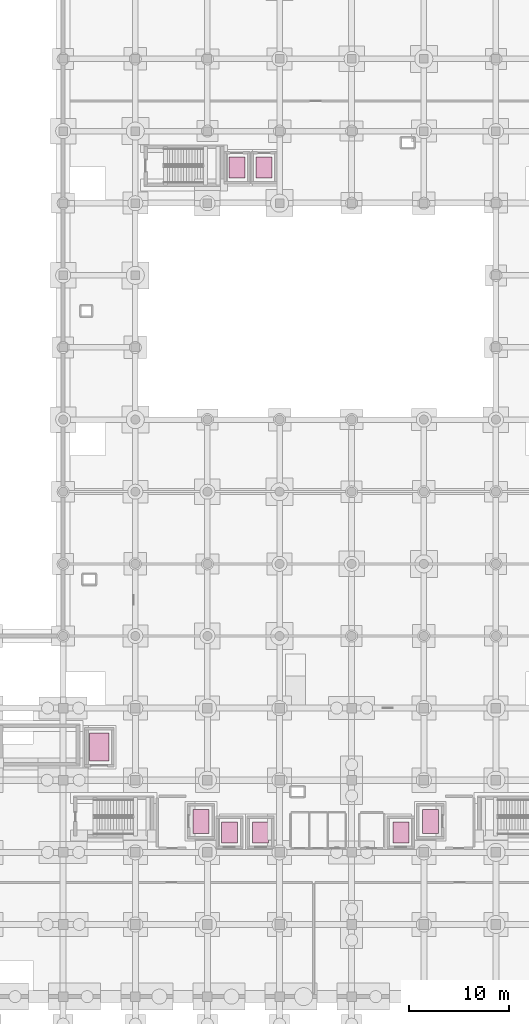
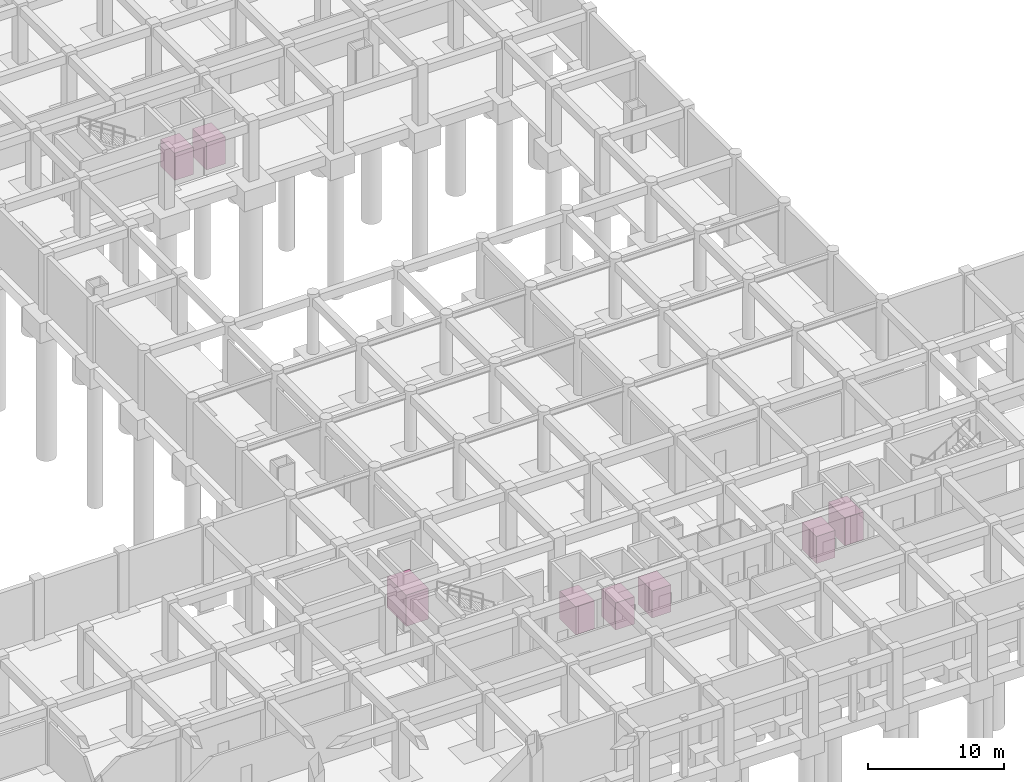
# One storey, part 26 of 26: 8 transport elements.
"""IFC4 building model written with IfcOpenShell, lengths in metres."""

import ifcopenshell
import ifcopenshell.guid

model = None  # the IFC model being written
_history = None  # IfcOwnerHistory: only IFC2X3 demands one
_inside = {}  # id of a spatial element -> (the spatial element, [elements in it])
_under = {}  # id of a project, library or spatial element -> (it, [spatial elements below it])
_declared = {}  # id of a project -> (the project, [libraries it declares])
_typed = {}  # id of a type object -> (the type object, [elements of that type])
_made_of = {}  # id of a material, layer set ... -> (it, [elements and type objects made of it])


def new_model(schema):
    """Start an empty IFC model of exactly this schema.

    Asked for "IFC4X3", IfcOpenShell would pick the latest addendum, in which some entities
    have other attributes; the version numbers below select the first issue.
    IFC2X3 requires an IfcOwnerHistory on every rooted entity: one is made here for all.
    """
    global model, _history
    if schema == "IFC4X3":
        model = ifcopenshell.file(schema_version=(4, 3, 0, 0))
    else:
        model = ifcopenshell.file(schema=schema)
    _inside.clear()
    _under.clear()
    _declared.clear()
    _typed.clear()
    _made_of.clear()
    _history = None
    if model.schema == "IFC2X3":
        org = make("IfcOrganization", Name="unknown")
        user = make(
            "IfcPersonAndOrganization",
            ThePerson=make("IfcPerson", FamilyName="unknown"),
            TheOrganization=org,
        )
        app = make(
            "IfcApplication",
            ApplicationDeveloper=org,
            Version="unknown",
            ApplicationFullName="unknown",
            ApplicationIdentifier="unknown",
        )
        _history = make(
            "IfcOwnerHistory",
            OwningUser=user,
            OwningApplication=app,
            ChangeAction="ADDED",
            CreationDate=0,
        )
    return model


def make(cls, **values):
    """One entity of the class cls with the attributes given. An attribute that is None is left unset."""
    return model.create_entity(
        cls, **{name: value for name, value in values.items() if value is not None}
    )


def rooted(cls, **values):
    """An entity with a GlobalId (a new one), such as an element, a storey or a relation."""
    return make(cls, GlobalId=ifcopenshell.guid.new(), OwnerHistory=_history, **values)


def si_unit(unit_type, name, prefix=None):
    """IfcSIUnit, for example si_unit("LENGTHUNIT", "METRE", prefix="MILLI")."""
    return make("IfcSIUnit", UnitType=unit_type, Prefix=prefix, Name=name)


def assignment(units):
    """IfcUnitAssignment: the units of a project."""
    return None if units is None else make("IfcUnitAssignment", Units=units)


def point(xyz):
    """IfcCartesianPoint."""
    return None if xyz is None else make("IfcCartesianPoint", Coordinates=xyz)


def direction(xyz):
    """IfcDirection."""
    return None if xyz is None else make("IfcDirection", DirectionRatios=xyz)


def frame(location, z_axis=None, x_axis=None):
    """IfcAxis2Placement3D, a coordinate frame: its origin and axes. An axis left out is left unset."""
    return make(
        "IfcAxis2Placement3D",
        Location=point(location),
        Axis=direction(z_axis),
        RefDirection=direction(x_axis),
    )


def frame_2d(location, x_axis=None):
    """IfcAxis2Placement2D, a coordinate frame in the plane: its origin and x axis."""
    return make(
        "IfcAxis2Placement2D", Location=point(location), RefDirection=direction(x_axis)
    )


def origin():
    """The frame at (0, 0, 0) with its axes left unset."""
    return frame((0.0, 0.0, 0.0))


def origin_2d():
    """The frame at (0, 0) in the plane with its x axis left unset."""
    return frame_2d((0.0, 0.0))


def place(relative_to, where):
    """IfcLocalPlacement: puts the frame where relative to a parent placement (None: the world)."""
    return make(
        "IfcLocalPlacement", PlacementRelTo=relative_to, RelativePlacement=where
    )


def context(
    kind, dimensions, precision=None, world=None, true_north=None, identifier=None
):
    """IfcGeometricRepresentationContext, for example the 3D "Model" context."""
    return make(
        "IfcGeometricRepresentationContext",
        ContextIdentifier=identifier,
        ContextType=kind,
        CoordinateSpaceDimension=dimensions,
        Precision=precision,
        WorldCoordinateSystem=world,
        TrueNorth=true_north,
    )


def subcontext(parent, identifier, kind, view, scale=None):
    """IfcGeometricRepresentationSubContext, for example "Body" below "Model"."""
    return make(
        "IfcGeometricRepresentationSubContext",
        ContextIdentifier=identifier,
        ContextType=kind,
        ParentContext=parent,
        TargetScale=scale,
        TargetView=view,
    )


def project(units=None, contexts=None):
    """IfcProject with its units and contexts."""
    return rooted(
        "IfcProject",
        Name="project",
        RepresentationContexts=contexts,
        UnitsInContext=assignment(units),
    )


def spatial(cls, under=None, at=None, **own):
    """A site, building, storey or space (cls), placed at a placement, below another one or the project."""
    s = rooted(cls, ObjectPlacement=at, **own)
    if under is not None:
        _under.setdefault(under.id(), (under, []))[1].append(s)
    return s


def profile(cls, at=None, kind="AREA", **sizes):
    """A parametric profile (cls). Its sizes go by their IFC names, for example OverallWidth=200.0."""
    return make(cls, ProfileType=kind, Position=at, **sizes)


def rectangle(**sizes):
    """IfcRectangleProfileDef."""
    return profile("IfcRectangleProfileDef", **sizes)


def extrude(swept, where, along, depth):
    """IfcExtrudedAreaSolid: the profile swept, set in the frame where, extruded along a direction by depth."""
    return make(
        "IfcExtrudedAreaSolid",
        SweptArea=swept,
        Position=where,
        ExtrudedDirection=direction(along),
        Depth=depth,
    )


def shape(context_of_items, identifier, shape_type, items):
    """IfcShapeRepresentation: the items that make up one representation, for example the "Body"."""
    return make(
        "IfcShapeRepresentation",
        ContextOfItems=context_of_items,
        RepresentationIdentifier=identifier,
        RepresentationType=shape_type,
        Items=items,
    )


def material(Name=None, Category=None):
    """IfcMaterial."""
    return make("IfcMaterial", Name=Name, Category=Category)


def made_of(thing, what):
    """Note that an element or type object is made of a material, layer set ...; save() writes the relation."""
    if what is not None:
        _made_of.setdefault(what.id(), (what, []))[1].append(thing)
    return thing


def type_object(cls, material=None, **own):
    """A type object (cls), such as IfcWallType, which elements share."""
    return made_of(rooted(cls, **own), material)


def element(
    cls,
    number,
    at=None,
    inside=None,
    cuts=None,
    type_object=None,
    material=None,
    context=None,
    identifier="Body",
    shape_type=None,
    held_by="IfcProductDefinitionShape",
    body=None,
    shapes=None,
    **own,
):
    """One element of the class cls, such as IfcWall. Its Tag is "e" and its number.

    at: its placement. inside: the storey or other place that contains it. cuts: it is an
    opening in that element (IfcRelVoidsElement). A single representation is given by context,
    identifier, shape_type and body (its items); several are given by shapes. held_by: the class
    of the entity that holds the representations. save() writes the other relations.
    """
    e = rooted(cls, Tag="e%d" % number, ObjectPlacement=at, **own)
    if body is not None:
        shapes = [shape(context, identifier, shape_type, body)]
    if shapes is not None:
        e.Representation = make(held_by, Representations=shapes)
    if inside is not None:
        _inside.setdefault(inside.id(), (inside, []))[1].append(e)
    if cuts is not None:
        rooted(
            "IfcRelVoidsElement", RelatingBuildingElement=cuts, RelatedOpeningElement=e
        )
    if type_object is not None:
        _typed.setdefault(type_object.id(), (type_object, []))[1].append(e)
    return made_of(e, material)


def aggregate(whole, parts):
    """IfcRelAggregates: a whole, such as a stair, and the parts it consists of."""
    return rooted("IfcRelAggregates", RelatingObject=whole, RelatedObjects=parts)


def save(model, path):
    """Write the relations noted so far, then the file.

    IfcRelAggregates (storeys below a building ...), IfcRelContainedInSpatialStructure (elements
    in a storey), IfcRelDefinesByType, IfcRelAssociatesMaterial and IfcRelDeclares: one each for
    every whole, place, type object, material and project.
    """
    for whole, parts in _under.values():
        aggregate(whole, parts)
    for where, things in _inside.values():
        rooted(
            "IfcRelContainedInSpatialStructure",
            RelatedElements=things,
            RelatingStructure=where,
        )
    for kind, things in _typed.values():
        rooted("IfcRelDefinesByType", RelatedObjects=things, RelatingType=kind)
    for what, things in _made_of.values():
        rooted("IfcRelAssociatesMaterial", RelatedObjects=things, RelatingMaterial=what)
    for by, libraries in _declared.values():
        rooted("IfcRelDeclares", RelatingContext=by, RelatedDefinitions=libraries)
    model.write(path)


model = new_model("IFC4")

# Units and contexts
model_context = context("Model", 3, precision=1e-05, world=origin(), true_north=direction((0.0, 1.0)))
body_context = subcontext(model_context, "Body", "Model", "MODEL_VIEW")
ifc_project = project(units=[si_unit("LENGTHUNIT", "METRE"), si_unit("AREAUNIT", "SQUARE_METRE"), si_unit("VOLUMEUNIT", "CUBIC_METRE"), si_unit("PLANEANGLEUNIT", "RADIAN"), si_unit("MASSUNIT", "GRAM", prefix="KILO")], contexts=[model_context])

# Site, building, storey
site_placement = place(None, origin())
site = spatial("IfcSite", under=ifc_project, at=site_placement, CompositionType="ELEMENT")
building_placement = place(site_placement, origin())
building = spatial("IfcBuilding", under=site, at=building_placement, Name="Kazehaya Institute of Natural Sciences", CompositionType="ELEMENT")
storey_placement = place(building_placement, frame((0.0, 0.0, -5.39990234375)))
storey = spatial("IfcBuildingStorey", under=building, at=storey_placement, Name="B1", CompositionType="ELEMENT", Elevation=-5.39990234375)

# Transport elements
ifc_material_1 = material(Name="Fire-rated stainless steel emergency cab", Category="steel")
transport_element_type_1 = type_object("IfcTransportElementType", Name="LFT-FIRE-2000", PredefinedType="ELEVATOR", material=ifc_material_1)
for number, where, z_axis, x_axis, name in (
    (1, (75.550048828125, 24.300048828125, 0.0), (0.0, 0.0, 1.0), (1.0, 0.0, 0.0), "Emergency firefighting elevator EL07"),
    (2, (98.449951171875, 24.300048828125, 0.0), (0.0, 0.0, 1.0), (1.0, 0.0, 0.0), "Emergency firefighting elevator EL08"),
):
    element("IfcTransportElement", number, at=place(storey_placement, frame(where, z_axis=z_axis, x_axis=x_axis)), inside=storey, type_object=transport_element_type_1, Name=name, PredefinedType="ELEVATOR", context=body_context, shape_type="SweptSolid", body=[
        extrude(rectangle(XDim=1.60009765625, YDim=2.39990234375, at=origin_2d()), origin(), (0.0, 0.0, 1.0), 2.5),
    ])
ifc_material_2 = material(Name="Heavy-duty freight elevator cab")
transport_element_type_2 = type_object("IfcTransportElementType", Name="LFT-GOODS-3200", PredefinedType="ELEVATOR", material=ifc_material_2)
transport_element_placement = place(storey_placement, frame((65.39990234375, 31.699951171875, 0.0), z_axis=(0.0, 0.0, 1.0), x_axis=(1.0, 0.0, 0.0)))
element("IfcTransportElement", 3, at=transport_element_placement, inside=storey, type_object=transport_element_type_2, Name="Elevator EL06", PredefinedType="ELEVATOR", context=body_context, shape_type="SweptSolid", body=[
    extrude(rectangle(XDim=1.89990234375, YDim=2.800048828125, at=origin_2d()), origin(), (0.0, 0.0, 1.0), 2.800048828125),
])
ifc_material_3 = material(Name="Stainless steel elevator cab", Category="steel")
transport_element_type_3 = type_object("IfcTransportElementType", Name="LFT-PASS-1600", PredefinedType="ELEVATOR", material=ifc_material_3)
for number, where, z_axis, x_axis, name in (
    (4, (78.39990234375, 23.199951171875, 0.0), (0.0, 0.0, 1.0), (1.0, 0.0, 0.0), "Elevator EL01"),
    (5, (81.5, 23.199951171875, 0.0), (0.0, 0.0, 1.0), (1.0, 0.0, 0.0), "Elevator EL02"),
    (6, (95.5, 23.199951171875, 0.0), (0.0, 0.0, 1.0), (1.0, 0.0, 0.0), "Elevator EL03"),
    (7, (79.14990234375, 89.550048828125, 0.0), (0.0, 0.0, 1.0), (1.0, 0.0, 0.0), "Elevator EL04"),
    (8, (81.85009765625, 89.550048828125, 0.0), (0.0, 0.0, 1.0), (1.0, 0.0, 0.0), "Elevator EL05"),
):
    element("IfcTransportElement", number, at=place(storey_placement, frame(where, z_axis=z_axis, x_axis=x_axis)), inside=storey, type_object=transport_element_type_3, Name=name, PredefinedType="ELEVATOR", context=body_context, shape_type="SweptSolid", body=[
        extrude(rectangle(XDim=1.60009765625, YDim=2.10009765625, at=origin_2d()), origin(), (0.0, 0.0, 1.0), 2.449951171875),
    ])

save(model, "model.ifc")
